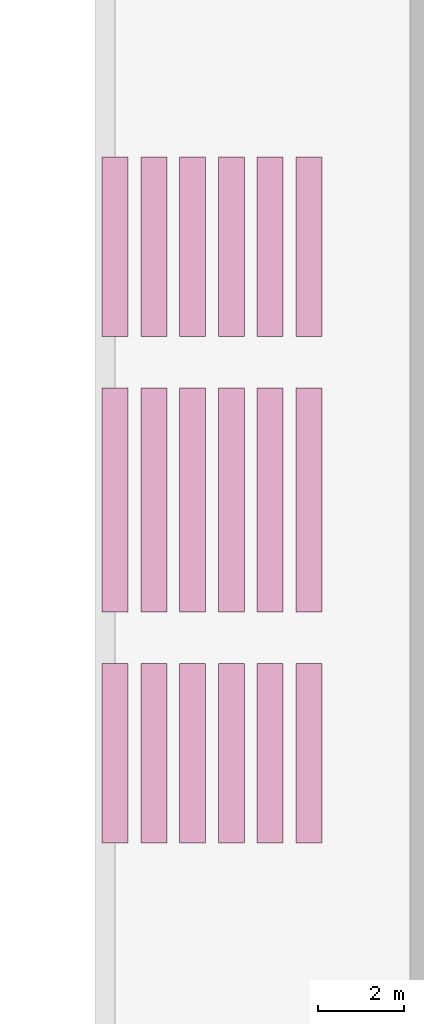
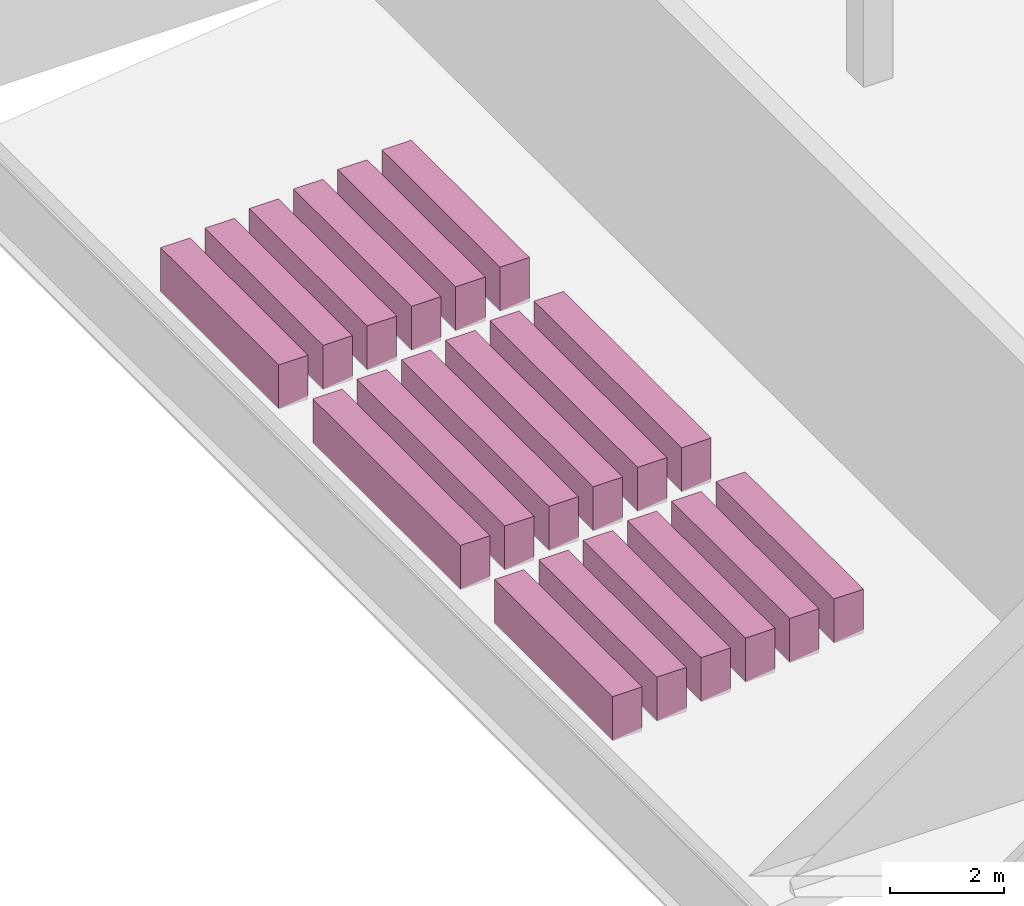
# One storey, part 74 of 74: 18 furnishings.
"""IFC4 building model written with IfcOpenShell, lengths in metres."""

from ifc_helpers import new_model, si_unit, direction, frame, origin, origin_2d, place, context, subcontext, project, spatial, rectangle, extrude, material, type_object, element, save


model = new_model("IFC4")

# Units and contexts
model_context = context("Model", 3, precision=1e-05, world=origin(), true_north=direction((0.0, 1.0)))
body_context = subcontext(model_context, "Body", "Model", "MODEL_VIEW")
ifc_project = project(units=[si_unit("LENGTHUNIT", "METRE"), si_unit("AREAUNIT", "SQUARE_METRE"), si_unit("VOLUMEUNIT", "CUBIC_METRE"), si_unit("PLANEANGLEUNIT", "RADIAN"), si_unit("MASSUNIT", "GRAM", prefix="KILO")], contexts=[model_context])

# Site, building, storey
site_placement = place(None, origin())
site = spatial("IfcSite", under=ifc_project, at=site_placement, CompositionType="ELEMENT")
building_placement = place(site_placement, origin())
building = spatial("IfcBuilding", under=site, at=building_placement, Name="Noorbagh Ring Tower", CompositionType="ELEMENT")
storey_placement = place(building_placement, frame((0.0, 0.0, 13.5)))
storey = spatial("IfcBuildingStorey", under=building, at=storey_placement, Name="L02", CompositionType="ELEMENT", Elevation=13.5)

# Furnishings
ifc_material = material(Name="Upholstered timber seating", Category="wood")
furnishing_element_type = type_object("IfcFurnishingElementType", Name="TH-SEATROW", material=ifc_material)
furnishing_1_placement = place(storey_placement, frame((-118.050048828125, -0.8798828125, -0.84912109375), z_axis=(0.0, 0.0, 1.0), x_axis=(1.0, 0.0, 0.0)))
element("IfcFurnishingElement", 1, at=furnishing_1_placement, inside=storey, type_object=furnishing_element_type, Name="Balcony row 1 block A", context=body_context, shape_type="SweptSolid", body=[
    extrude(rectangle(XDim=0.60009765625, YDim=4.159912109375, at=origin_2d()), origin(), (0.0, 0.0, 1.0), 0.949951171875),
])
furnishing_2_placement = place(storey_placement, frame((-118.050048828125, 5.0, -0.84912109375), z_axis=(0.0, 0.0, 1.0), x_axis=(1.0, 0.0, 0.0)))
element("IfcFurnishingElement", 2, at=furnishing_2_placement, inside=storey, type_object=furnishing_element_type, Name="Balcony row 1 block B", context=body_context, shape_type="SweptSolid", body=[
    extrude(rectangle(XDim=0.60009765625, YDim=5.199951171875, at=origin_2d()), origin(), (0.0, 0.0, 1.0), 0.949951171875),
])
for number, where, z_axis, x_axis, name in (
    (3, (-118.050048828125, 10.8798828125, -0.84912109375), (0.0, 0.0, 1.0), (1.0, 0.0, 0.0), "Balcony row 1 block C"),
    (4, (-117.14990234375, -0.8798828125, -0.744140625), (0.0, 0.0, 1.0), (1.0, 0.0, 0.0), "Balcony row 2 block A"),
):
    element("IfcFurnishingElement", number, at=place(storey_placement, frame(where, z_axis=z_axis, x_axis=x_axis)), inside=storey, type_object=furnishing_element_type, Name=name, context=body_context, shape_type="SweptSolid", body=[
        extrude(rectangle(XDim=0.60009765625, YDim=4.159912109375, at=origin_2d()), origin(), (0.0, 0.0, 1.0), 0.949951171875),
    ])
furnishing_3_placement = place(storey_placement, frame((-117.14990234375, 5.0, -0.744140625), z_axis=(0.0, 0.0, 1.0), x_axis=(1.0, 0.0, 0.0)))
element("IfcFurnishingElement", 5, at=furnishing_3_placement, inside=storey, type_object=furnishing_element_type, Name="Balcony row 2 block B", context=body_context, shape_type="SweptSolid", body=[
    extrude(rectangle(XDim=0.60009765625, YDim=5.199951171875, at=origin_2d()), origin(), (0.0, 0.0, 1.0), 0.949951171875),
])
for number, where, z_axis, x_axis, name in (
    (6, (-117.14990234375, 10.8798828125, -0.744140625), (0.0, 0.0, 1.0), (1.0, 0.0, 0.0), "Balcony row 2 block C"),
    (7, (-116.25, -0.8798828125, -0.63916015625), (0.0, 0.0, 1.0), (1.0, 0.0, 0.0), "Balcony row 3 block A"),
):
    element("IfcFurnishingElement", number, at=place(storey_placement, frame(where, z_axis=z_axis, x_axis=x_axis)), inside=storey, type_object=furnishing_element_type, Name=name, context=body_context, shape_type="SweptSolid", body=[
        extrude(rectangle(XDim=0.60009765625, YDim=4.159912109375, at=origin_2d()), origin(), (0.0, 0.0, 1.0), 0.949951171875),
    ])
furnishing_4_placement = place(storey_placement, frame((-116.25, 5.0, -0.63916015625), z_axis=(0.0, 0.0, 1.0), x_axis=(1.0, 0.0, 0.0)))
element("IfcFurnishingElement", 8, at=furnishing_4_placement, inside=storey, type_object=furnishing_element_type, Name="Balcony row 3 block B", context=body_context, shape_type="SweptSolid", body=[
    extrude(rectangle(XDim=0.60009765625, YDim=5.199951171875, at=origin_2d()), origin(), (0.0, 0.0, 1.0), 0.949951171875),
])
for number, where, z_axis, x_axis, name in (
    (9, (-116.25, 10.8798828125, -0.63916015625), (0.0, 0.0, 1.0), (1.0, 0.0, 0.0), "Balcony row 3 block C"),
    (10, (-115.35009765625, -0.8798828125, -0.5341796875), (0.0, 0.0, 1.0), (1.0, 0.0, 0.0), "Balcony row 4 block A"),
):
    element("IfcFurnishingElement", number, at=place(storey_placement, frame(where, z_axis=z_axis, x_axis=x_axis)), inside=storey, type_object=furnishing_element_type, Name=name, context=body_context, shape_type="SweptSolid", body=[
        extrude(rectangle(XDim=0.60009765625, YDim=4.159912109375, at=origin_2d()), origin(), (0.0, 0.0, 1.0), 0.949951171875),
    ])
furnishing_5_placement = place(storey_placement, frame((-115.35009765625, 5.0, -0.5341796875), z_axis=(0.0, 0.0, 1.0), x_axis=(1.0, 0.0, 0.0)))
element("IfcFurnishingElement", 11, at=furnishing_5_placement, inside=storey, type_object=furnishing_element_type, Name="Balcony row 4 block B", context=body_context, shape_type="SweptSolid", body=[
    extrude(rectangle(XDim=0.60009765625, YDim=5.199951171875, at=origin_2d()), origin(), (0.0, 0.0, 1.0), 0.949951171875),
])
for number, where, z_axis, x_axis, name in (
    (12, (-115.35009765625, 10.8798828125, -0.5341796875), (0.0, 0.0, 1.0), (1.0, 0.0, 0.0), "Balcony row 4 block C"),
    (13, (-114.449951171875, -0.8798828125, -0.42919921875), (0.0, 0.0, 1.0), (1.0, 0.0, 0.0), "Balcony row 5 block A"),
):
    element("IfcFurnishingElement", number, at=place(storey_placement, frame(where, z_axis=z_axis, x_axis=x_axis)), inside=storey, type_object=furnishing_element_type, Name=name, context=body_context, shape_type="SweptSolid", body=[
        extrude(rectangle(XDim=0.60009765625, YDim=4.159912109375, at=origin_2d()), origin(), (0.0, 0.0, 1.0), 0.949951171875),
    ])
furnishing_6_placement = place(storey_placement, frame((-114.449951171875, 5.0, -0.42919921875), z_axis=(0.0, 0.0, 1.0), x_axis=(1.0, 0.0, 0.0)))
element("IfcFurnishingElement", 14, at=furnishing_6_placement, inside=storey, type_object=furnishing_element_type, Name="Balcony row 5 block B", context=body_context, shape_type="SweptSolid", body=[
    extrude(rectangle(XDim=0.60009765625, YDim=5.199951171875, at=origin_2d()), origin(), (0.0, 0.0, 1.0), 0.949951171875),
])
for number, where, z_axis, x_axis, name in (
    (15, (-114.449951171875, 10.8798828125, -0.42919921875), (0.0, 0.0, 1.0), (1.0, 0.0, 0.0), "Balcony row 5 block C"),
    (16, (-113.550048828125, -0.8798828125, -0.32421875), (0.0, 0.0, 1.0), (1.0, 0.0, 0.0), "Balcony row 6 block A"),
):
    element("IfcFurnishingElement", number, at=place(storey_placement, frame(where, z_axis=z_axis, x_axis=x_axis)), inside=storey, type_object=furnishing_element_type, Name=name, context=body_context, shape_type="SweptSolid", body=[
        extrude(rectangle(XDim=0.60009765625, YDim=4.159912109375, at=origin_2d()), origin(), (0.0, 0.0, 1.0), 0.949951171875),
    ])
furnishing_7_placement = place(storey_placement, frame((-113.550048828125, 5.0, -0.32421875), z_axis=(0.0, 0.0, 1.0), x_axis=(1.0, 0.0, 0.0)))
element("IfcFurnishingElement", 17, at=furnishing_7_placement, inside=storey, type_object=furnishing_element_type, Name="Balcony row 6 block B", context=body_context, shape_type="SweptSolid", body=[
    extrude(rectangle(XDim=0.60009765625, YDim=5.199951171875, at=origin_2d()), origin(), (0.0, 0.0, 1.0), 0.949951171875),
])
furnishing_8_placement = place(storey_placement, frame((-113.550048828125, 10.8798828125, -0.32421875), z_axis=(0.0, 0.0, 1.0), x_axis=(1.0, 0.0, 0.0)))
element("IfcFurnishingElement", 18, at=furnishing_8_placement, inside=storey, type_object=furnishing_element_type, Name="Balcony row 6 block C", context=body_context, shape_type="SweptSolid", body=[
    extrude(rectangle(XDim=0.60009765625, YDim=4.159912109375, at=origin_2d()), origin(), (0.0, 0.0, 1.0), 0.949951171875),
])

save(model, "model.ifc")
